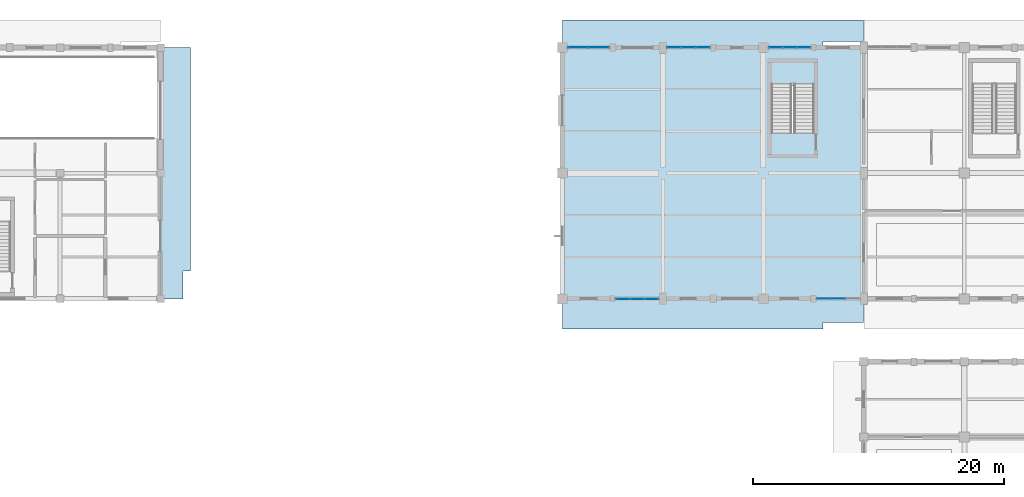
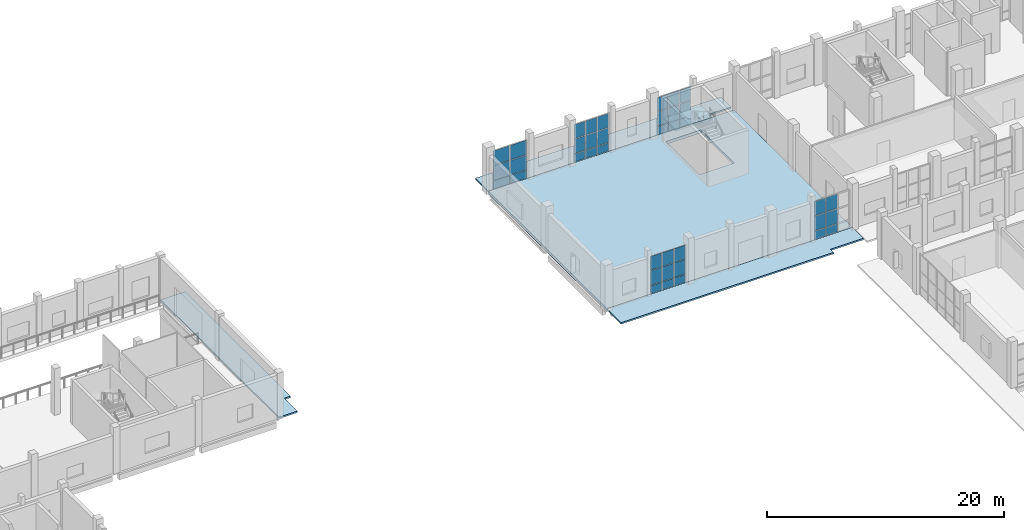
# One storey, part 113 of 156: 39 plates, 5 slabs, 6 elements without a shape of their own.
"""IFC4 building model written with IfcOpenShell, lengths in metres."""

from ifc_helpers import new_model, si_unit, direction, frame, origin, origin_2d, place, context, subcontext, project, spatial, polyline, rectangle, outline, extrude, material, layer, layer_set, type_object, element, aggregate, save


model = new_model("IFC4")

# Units and contexts
model_context = context("Model", 3, precision=1e-05, world=origin(), true_north=direction((0.0, 1.0)))
body_context = subcontext(model_context, "Body", "Model", "MODEL_VIEW")
ifc_project = project(units=[si_unit("LENGTHUNIT", "METRE"), si_unit("AREAUNIT", "SQUARE_METRE"), si_unit("VOLUMEUNIT", "CUBIC_METRE"), si_unit("PLANEANGLEUNIT", "RADIAN"), si_unit("MASSUNIT", "GRAM", prefix="KILO")], contexts=[model_context])

# Site, building, storey
site_placement = place(None, origin())
site = spatial("IfcSite", under=ifc_project, at=site_placement, CompositionType="ELEMENT")
building_placement = place(site_placement, origin())
building = spatial("IfcBuilding", under=site, at=building_placement, Name="Luwemba Playhouse", CompositionType="ELEMENT")
storey_placement = place(building_placement, origin())
storey = spatial("IfcBuildingStorey", under=building, at=storey_placement, Name="L00", CompositionType="ELEMENT", Elevation=0.0)

# Curtain wall, plates
ifc_material_1 = material(Name="Solar-control double glazing", Category="glass")
curtain_wall_type_1 = type_object("IfcCurtainWallType", Name="CW-CW11", PredefinedType="USERDEFINED", material=ifc_material_1)
curtain_wall_1_placement = place(storey_placement, origin())
curtain_wall_1 = element("IfcCurtainWall", 1, at=curtain_wall_1_placement, inside=storey, type_object=curtain_wall_type_1, Name="L00 V6E unitised curtain wall 083", ObjectType="UNITISED GLAZING", PredefinedType="USERDEFINED")
ifc_layer_1 = layer(ifc_material_1, 0.02392578125)
ifc_layer_set_1 = layer_set([ifc_layer_1], Name="Solar-control double glazing")
plate_type_1 = type_object("IfcPlateType", Name="CWP-P1", PredefinedType="CURTAIN_PANEL", material=ifc_layer_set_1)
plate_1_placement = place(storey_placement, frame((116.894287109375, 115.0, 0.06005859375), z_axis=(0.0, 0.0, 1.0), x_axis=(1.0, 0.0, 0.0)))
plate_1 = element("IfcPlate", 2, at=plate_1_placement, type_object=plate_type_1, Name="CW11 panel 1.1", PredefinedType="CURTAIN_PANEL", context=body_context, shape_type="SweptSolid", body=[
    extrude(rectangle(XDim=1.068359375, YDim=0.02392578125, at=origin_2d()), origin(), (0.0, 0.0, 1.0), 0.81005859375),
])
plate_2_placement = place(storey_placement, frame((116.894287109375, 115.0, 0.93017578125), z_axis=(0.0, 0.0, 1.0), x_axis=(1.0, 0.0, 0.0)))
plate_2 = element("IfcPlate", 3, at=plate_2_placement, type_object=plate_type_1, Name="CW11 panel 1.2", PredefinedType="CURTAIN_PANEL", context=body_context, shape_type="SweptSolid", body=[
    extrude(rectangle(XDim=1.068359375, YDim=0.02392578125, at=origin_2d()), origin(), (0.0, 0.0, 1.0), 1.489990234375),
])
plate_3_placement = place(storey_placement, frame((116.894287109375, 115.0, 2.47998046875), z_axis=(0.0, 0.0, 1.0), x_axis=(1.0, 0.0, 0.0)))
plate_3 = element("IfcPlate", 4, at=plate_3_placement, type_object=plate_type_1, Name="CW11 panel 1.3", PredefinedType="CURTAIN_PANEL", context=body_context, shape_type="SweptSolid", body=[
    extrude(rectangle(XDim=1.068359375, YDim=0.02392578125, at=origin_2d()), origin(), (0.0, 0.0, 1.0), 1.445068359375),
])
plate_4_placement = place(storey_placement, frame((118.03759765625, 115.0, 0.06005859375), z_axis=(0.0, 0.0, 1.0), x_axis=(1.0, 0.0, 0.0)))
plate_4 = element("IfcPlate", 5, at=plate_4_placement, type_object=plate_type_1, Name="CW11 panel 2.1", PredefinedType="CURTAIN_PANEL", context=body_context, shape_type="SweptSolid", body=[
    extrude(rectangle(XDim=1.098388671875, YDim=0.02392578125, at=origin_2d()), origin(), (0.0, 0.0, 1.0), 0.81005859375),
])
plate_5_placement = place(storey_placement, frame((118.03759765625, 115.0, 0.93017578125), z_axis=(0.0, 0.0, 1.0), x_axis=(1.0, 0.0, 0.0)))
plate_5 = element("IfcPlate", 6, at=plate_5_placement, type_object=plate_type_1, Name="CW11 panel 2.2", PredefinedType="CURTAIN_PANEL", context=body_context, shape_type="SweptSolid", body=[
    extrude(rectangle(XDim=1.098388671875, YDim=0.02392578125, at=origin_2d()), origin(), (0.0, 0.0, 1.0), 1.489990234375),
])
plate_6_placement = place(storey_placement, frame((118.03759765625, 115.0, 2.47998046875), z_axis=(0.0, 0.0, 1.0), x_axis=(1.0, 0.0, 0.0)))
plate_6 = element("IfcPlate", 7, at=plate_6_placement, type_object=plate_type_1, Name="CW11 panel 2.3", PredefinedType="CURTAIN_PANEL", context=body_context, shape_type="SweptSolid", body=[
    extrude(rectangle(XDim=1.098388671875, YDim=0.02392578125, at=origin_2d()), origin(), (0.0, 0.0, 1.0), 1.445068359375),
])
plate_7_placement = place(storey_placement, frame((119.180908203125, 115.0, 0.06005859375), z_axis=(0.0, 0.0, 1.0), x_axis=(1.0, 0.0, 0.0)))
plate_7 = element("IfcPlate", 8, at=plate_7_placement, type_object=plate_type_1, Name="CW11 panel 3.1", PredefinedType="CURTAIN_PANEL", context=body_context, shape_type="SweptSolid", body=[
    extrude(rectangle(XDim=1.068359375, YDim=0.02392578125, at=origin_2d()), origin(), (0.0, 0.0, 1.0), 0.81005859375),
])
plate_8_placement = place(storey_placement, frame((119.180908203125, 115.0, 0.93017578125), z_axis=(0.0, 0.0, 1.0), x_axis=(1.0, 0.0, 0.0)))
plate_8 = element("IfcPlate", 9, at=plate_8_placement, type_object=plate_type_1, Name="CW11 panel 3.2", PredefinedType="CURTAIN_PANEL", context=body_context, shape_type="SweptSolid", body=[
    extrude(rectangle(XDim=1.068359375, YDim=0.02392578125, at=origin_2d()), origin(), (0.0, 0.0, 1.0), 1.489990234375),
])
plate_9_placement = place(storey_placement, frame((119.180908203125, 115.0, 2.47998046875), z_axis=(0.0, 0.0, 1.0), x_axis=(1.0, 0.0, 0.0)))
plate_9 = element("IfcPlate", 10, at=plate_9_placement, type_object=plate_type_1, Name="CW11 panel 3.3", PredefinedType="CURTAIN_PANEL", context=body_context, shape_type="SweptSolid", body=[
    extrude(rectangle(XDim=1.068359375, YDim=0.02392578125, at=origin_2d()), origin(), (0.0, 0.0, 1.0), 1.445068359375),
])
aggregate(curtain_wall_1, [plate_1, plate_2, plate_3, plate_4, plate_5, plate_6, plate_7, plate_8, plate_9])

curtain_wall_type_2 = type_object("IfcCurtainWallType", Name="CW-CW66", PredefinedType="USERDEFINED", material=ifc_material_1)
curtain_wall_2_placement = place(storey_placement, origin())
curtain_wall_2 = element("IfcCurtainWall", 11, at=curtain_wall_2_placement, inside=storey, type_object=curtain_wall_type_2, Name="L00 V6E unitised curtain wall 084", ObjectType="UNITISED GLAZING", PredefinedType="USERDEFINED")
ifc_layer_2 = layer(ifc_material_1, 0.028076171875)
ifc_layer_set_2 = layer_set([ifc_layer_2], Name="Solar-control double glazing")
plate_type_2 = type_object("IfcPlateType", Name="CWP-P2", PredefinedType="CURTAIN_PANEL", material=ifc_layer_set_2)
plate_10_placement = place(storey_placement, frame((124.98291015625, 115.0, 0.05517578125), z_axis=(0.0, 0.0, 1.0), x_axis=(1.0, 0.0, 0.0)))
plate_10 = element("IfcPlate", 12, at=plate_10_placement, type_object=plate_type_2, Name="CW66 panel 1.1", PredefinedType="CURTAIN_PANEL", context=body_context, shape_type="SweptSolid", body=[
    extrude(rectangle(XDim=1.035888671875, YDim=0.028076171875, at=origin_2d()), origin(), (0.0, 0.0, 1.0), 0.8173828125),
])
plate_11_placement = place(storey_placement, frame((124.98291015625, 115.0, 0.927490234375), z_axis=(0.0, 0.0, 1.0), x_axis=(1.0, 0.0, 0.0)))
plate_11 = element("IfcPlate", 13, at=plate_11_placement, type_object=plate_type_2, Name="CW66 panel 1.2", PredefinedType="CURTAIN_PANEL", context=body_context, shape_type="SweptSolid", body=[
    extrude(rectangle(XDim=1.035888671875, YDim=0.028076171875, at=origin_2d()), origin(), (0.0, 0.0, 1.0), 1.4951171875),
])
plate_12_placement = place(storey_placement, frame((124.98291015625, 115.0, 2.4775390625), z_axis=(0.0, 0.0, 1.0), x_axis=(1.0, 0.0, 0.0)))
plate_12 = element("IfcPlate", 14, at=plate_12_placement, type_object=plate_type_2, Name="CW66 panel 1.3", PredefinedType="CURTAIN_PANEL", context=body_context, shape_type="SweptSolid", body=[
    extrude(rectangle(XDim=1.035888671875, YDim=0.028076171875, at=origin_2d()), origin(), (0.0, 0.0, 1.0), 1.402587890625),
])
plate_13_placement = place(storey_placement, frame((126.10009765625, 115.0, 0.05517578125), z_axis=(0.0, 0.0, 1.0), x_axis=(1.0, 0.0, 0.0)))
plate_13 = element("IfcPlate", 15, at=plate_13_placement, type_object=plate_type_2, Name="CW66 panel 2.1", PredefinedType="CURTAIN_PANEL", context=body_context, shape_type="SweptSolid", body=[
    extrude(rectangle(XDim=1.068359375, YDim=0.028076171875, at=origin_2d()), origin(), (0.0, 0.0, 1.0), 0.8173828125),
])
plate_14_placement = place(storey_placement, frame((126.10009765625, 115.0, 0.927490234375), z_axis=(0.0, 0.0, 1.0), x_axis=(1.0, 0.0, 0.0)))
plate_14 = element("IfcPlate", 16, at=plate_14_placement, type_object=plate_type_2, Name="CW66 panel 2.2", PredefinedType="CURTAIN_PANEL", context=body_context, shape_type="SweptSolid", body=[
    extrude(rectangle(XDim=1.068359375, YDim=0.028076171875, at=origin_2d()), origin(), (0.0, 0.0, 1.0), 1.4951171875),
])
plate_15_placement = place(storey_placement, frame((126.10009765625, 115.0, 2.4775390625), z_axis=(0.0, 0.0, 1.0), x_axis=(1.0, 0.0, 0.0)))
plate_15 = element("IfcPlate", 17, at=plate_15_placement, type_object=plate_type_2, Name="CW66 panel 2.3", PredefinedType="CURTAIN_PANEL", context=body_context, shape_type="SweptSolid", body=[
    extrude(rectangle(XDim=1.068359375, YDim=0.028076171875, at=origin_2d()), origin(), (0.0, 0.0, 1.0), 1.402587890625),
])
plate_16_placement = place(storey_placement, frame((127.217041015625, 115.0, 0.05517578125), z_axis=(0.0, 0.0, 1.0), x_axis=(1.0, 0.0, 0.0)))
plate_16 = element("IfcPlate", 18, at=plate_16_placement, type_object=plate_type_2, Name="CW66 panel 3.1", PredefinedType="CURTAIN_PANEL", context=body_context, shape_type="SweptSolid", body=[
    extrude(rectangle(XDim=1.035888671875, YDim=0.028076171875, at=origin_2d()), origin(), (0.0, 0.0, 1.0), 0.8173828125),
])
plate_17_placement = place(storey_placement, frame((127.217041015625, 115.0, 0.927490234375), z_axis=(0.0, 0.0, 1.0), x_axis=(1.0, 0.0, 0.0)))
plate_17 = element("IfcPlate", 19, at=plate_17_placement, type_object=plate_type_2, Name="CW66 panel 3.2", PredefinedType="CURTAIN_PANEL", context=body_context, shape_type="SweptSolid", body=[
    extrude(rectangle(XDim=1.035888671875, YDim=0.028076171875, at=origin_2d()), origin(), (0.0, 0.0, 1.0), 1.4951171875),
])
plate_18_placement = place(storey_placement, frame((127.217041015625, 115.0, 2.4775390625), z_axis=(0.0, 0.0, 1.0), x_axis=(1.0, 0.0, 0.0)))
plate_18 = element("IfcPlate", 20, at=plate_18_placement, type_object=plate_type_2, Name="CW66 panel 3.3", PredefinedType="CURTAIN_PANEL", context=body_context, shape_type="SweptSolid", body=[
    extrude(rectangle(XDim=1.035888671875, YDim=0.028076171875, at=origin_2d()), origin(), (0.0, 0.0, 1.0), 1.402587890625),
])
aggregate(curtain_wall_2, [plate_10, plate_11, plate_12, plate_13, plate_14, plate_15, plate_16, plate_17, plate_18])

curtain_wall_type_3 = type_object("IfcCurtainWallType", Name="CW-CW17", PredefinedType="USERDEFINED", material=ifc_material_1)
curtain_wall_3_placement = place(storey_placement, origin())
curtain_wall_3 = element("IfcCurtainWall", 21, at=curtain_wall_3_placement, inside=storey, type_object=curtain_wall_type_3, Name="L00 V6E unitised curtain wall 093", ObjectType="UNITISED GLAZING", PredefinedType="USERDEFINED")
ifc_layer_3 = layer(ifc_material_1, 0.031982421875)
ifc_layer_set_3 = layer_set([ifc_layer_3], Name="Solar-control double glazing")
plate_type_3 = type_object("IfcPlateType", Name="CWP-P3", PredefinedType="CURTAIN_PANEL", material=ifc_layer_set_3)
plate_19_placement = place(storey_placement, frame((129.96240234375, 95.0, 0.06494140625), z_axis=(0.0, 0.0, 1.0), x_axis=(-1.0, 0.0, 0.0)))
plate_19 = element("IfcPlate", 22, at=plate_19_placement, type_object=plate_type_3, Name="CW17 panel 2.1", PredefinedType="CURTAIN_PANEL", context=body_context, shape_type="SweptSolid", body=[
    extrude(rectangle(XDim=1.103271484375, YDim=0.031982421875, at=origin_2d()), origin(), (0.0, 0.0, 1.0), 0.802490234375),
])
plate_20_placement = place(storey_placement, frame((129.96240234375, 95.0, 0.9326171875), z_axis=(0.0, 0.0, 1.0), x_axis=(-1.0, 0.0, 0.0)))
plate_20 = element("IfcPlate", 23, at=plate_20_placement, type_object=plate_type_3, Name="CW17 panel 2.2", PredefinedType="CURTAIN_PANEL", context=body_context, shape_type="SweptSolid", body=[
    extrude(rectangle(XDim=1.103271484375, YDim=0.031982421875, at=origin_2d()), origin(), (0.0, 0.0, 1.0), 1.485107421875),
])
plate_21_placement = place(storey_placement, frame((129.96240234375, 95.0, 2.482421875), z_axis=(0.0, 0.0, 1.0), x_axis=(-1.0, 0.0, 0.0)))
plate_21 = element("IfcPlate", 24, at=plate_21_placement, type_object=plate_type_3, Name="CW17 panel 2.3", PredefinedType="CURTAIN_PANEL", context=body_context, shape_type="SweptSolid", body=[
    extrude(rectangle(XDim=1.103271484375, YDim=0.031982421875, at=origin_2d()), origin(), (0.0, 0.0, 1.0), 1.487548828125),
])
plate_22_placement = place(storey_placement, frame((128.81787109375, 95.0, 0.06494140625), z_axis=(0.0, 0.0, 1.0), x_axis=(-1.0, 0.0, 0.0)))
plate_22 = element("IfcPlate", 25, at=plate_22_placement, type_object=plate_type_3, Name="CW17 panel 3.1", PredefinedType="CURTAIN_PANEL", context=body_context, shape_type="SweptSolid", body=[
    extrude(rectangle(XDim=1.075927734375, YDim=0.031982421875, at=origin_2d()), origin(), (0.0, 0.0, 1.0), 0.802490234375),
])
plate_23_placement = place(storey_placement, frame((128.81787109375, 95.0, 0.9326171875), z_axis=(0.0, 0.0, 1.0), x_axis=(-1.0, 0.0, 0.0)))
plate_23 = element("IfcPlate", 26, at=plate_23_placement, type_object=plate_type_3, Name="CW17 panel 3.2", PredefinedType="CURTAIN_PANEL", context=body_context, shape_type="SweptSolid", body=[
    extrude(rectangle(XDim=1.075927734375, YDim=0.031982421875, at=origin_2d()), origin(), (0.0, 0.0, 1.0), 1.485107421875),
])
plate_24_placement = place(storey_placement, frame((128.81787109375, 95.0, 2.482421875), z_axis=(0.0, 0.0, 1.0), x_axis=(-1.0, 0.0, 0.0)))
plate_24 = element("IfcPlate", 27, at=plate_24_placement, type_object=plate_type_3, Name="CW17 panel 3.3", PredefinedType="CURTAIN_PANEL", context=body_context, shape_type="SweptSolid", body=[
    extrude(rectangle(XDim=1.075927734375, YDim=0.031982421875, at=origin_2d()), origin(), (0.0, 0.0, 1.0), 1.487548828125),
])
aggregate(curtain_wall_3, [plate_19, plate_20, plate_21, plate_22, plate_23, plate_24])

curtain_wall_type_4 = type_object("IfcCurtainWallType", Name="CW-CW65", PredefinedType="USERDEFINED", material=ifc_material_1)
curtain_wall_4_placement = place(storey_placement, origin())
curtain_wall_4 = element("IfcCurtainWall", 28, at=curtain_wall_4_placement, inside=storey, type_object=curtain_wall_type_4, Name="L00 V6E unitised curtain wall 082", ObjectType="UNITISED GLAZING", PredefinedType="USERDEFINED")
ifc_layer_4 = layer(ifc_material_1, 0.035888671875)
ifc_layer_set_4 = layer_set([ifc_layer_4], Name="Solar-control double glazing")
plate_type_4 = type_object("IfcPlateType", Name="CWP-P4", PredefinedType="CURTAIN_PANEL", material=ifc_layer_set_4)
plate_25_placement = place(storey_placement, frame((109.2548828125, 115.0, 0.0498046875), z_axis=(0.0, 0.0, 1.0), x_axis=(1.0, 0.0, 0.0)))
plate_25 = element("IfcPlate", 29, at=plate_25_placement, type_object=plate_type_4, Name="CW65 panel 1.1", PredefinedType="CURTAIN_PANEL", context=body_context, shape_type="SweptSolid", body=[
    extrude(rectangle(XDim=1.570068359375, YDim=0.035888671875, at=origin_2d()), origin(), (0.0, 0.0, 1.0), 0.824951171875),
])
plate_26_placement = place(storey_placement, frame((109.2548828125, 115.0, 0.925048828125), z_axis=(0.0, 0.0, 1.0), x_axis=(1.0, 0.0, 0.0)))
plate_26 = element("IfcPlate", 30, at=plate_26_placement, type_object=plate_type_4, Name="CW65 panel 1.2", PredefinedType="CURTAIN_PANEL", context=body_context, shape_type="SweptSolid", body=[
    extrude(rectangle(XDim=1.570068359375, YDim=0.035888671875, at=origin_2d()), origin(), (0.0, 0.0, 1.0), 1.5),
])
plate_27_placement = place(storey_placement, frame((109.2548828125, 115.0, 2.47509765625), z_axis=(0.0, 0.0, 1.0), x_axis=(1.0, 0.0, 0.0)))
plate_27 = element("IfcPlate", 31, at=plate_27_placement, type_object=plate_type_4, Name="CW65 panel 1.3", PredefinedType="CURTAIN_PANEL", context=body_context, shape_type="SweptSolid", body=[
    extrude(rectangle(XDim=1.570068359375, YDim=0.035888671875, at=origin_2d()), origin(), (0.0, 0.0, 1.0), 1.510009765625),
])
plate_28_placement = place(storey_placement, frame((110.89501953125, 115.0, 0.0498046875), z_axis=(0.0, 0.0, 1.0), x_axis=(1.0, 0.0, 0.0)))
plate_28 = element("IfcPlate", 32, at=plate_28_placement, type_object=plate_type_4, Name="CW65 panel 2.1", PredefinedType="CURTAIN_PANEL", context=body_context, shape_type="SweptSolid", body=[
    extrude(rectangle(XDim=1.570068359375, YDim=0.035888671875, at=origin_2d()), origin(), (0.0, 0.0, 1.0), 0.824951171875),
])
plate_29_placement = place(storey_placement, frame((110.89501953125, 115.0, 0.925048828125), z_axis=(0.0, 0.0, 1.0), x_axis=(1.0, 0.0, 0.0)))
plate_29 = element("IfcPlate", 33, at=plate_29_placement, type_object=plate_type_4, Name="CW65 panel 2.2", PredefinedType="CURTAIN_PANEL", context=body_context, shape_type="SweptSolid", body=[
    extrude(rectangle(XDim=1.570068359375, YDim=0.035888671875, at=origin_2d()), origin(), (0.0, 0.0, 1.0), 1.5),
])
plate_30_placement = place(storey_placement, frame((110.89501953125, 115.0, 2.47509765625), z_axis=(0.0, 0.0, 1.0), x_axis=(1.0, 0.0, 0.0)))
plate_30 = element("IfcPlate", 34, at=plate_30_placement, type_object=plate_type_4, Name="CW65 panel 2.3", PredefinedType="CURTAIN_PANEL", context=body_context, shape_type="SweptSolid", body=[
    extrude(rectangle(XDim=1.570068359375, YDim=0.035888671875, at=origin_2d()), origin(), (0.0, 0.0, 1.0), 1.510009765625),
])
aggregate(curtain_wall_4, [plate_25, plate_26, plate_27, plate_28, plate_29, plate_30])

curtain_wall_type_5 = type_object("IfcCurtainWallType", Name="CW-CW56", PredefinedType="USERDEFINED", material=ifc_material_1)
curtain_wall_5_placement = place(storey_placement, origin())
curtain_wall_5 = element("IfcCurtainWall", 35, at=curtain_wall_5_placement, inside=storey, type_object=curtain_wall_type_5, Name="L00 V6E unitised curtain wall 094", ObjectType="UNITISED GLAZING", PredefinedType="USERDEFINED")
plate_31_placement = place(storey_placement, frame((115.09912109375, 95.0, 0.0498046875), z_axis=(0.0, 0.0, 1.0), x_axis=(-1.0, 0.0, 0.0)))
plate_31 = element("IfcPlate", 36, at=plate_31_placement, type_object=plate_type_4, Name="CW56 panel 1.1", PredefinedType="CURTAIN_PANEL", context=body_context, shape_type="SweptSolid", body=[
    extrude(rectangle(XDim=1.061767578125, YDim=0.035888671875, at=origin_2d()), origin(), (0.0, 0.0, 1.0), 0.824951171875),
])
plate_32_placement = place(storey_placement, frame((115.09912109375, 95.0, 0.925048828125), z_axis=(0.0, 0.0, 1.0), x_axis=(-1.0, 0.0, 0.0)))
plate_32 = element("IfcPlate", 37, at=plate_32_placement, type_object=plate_type_4, Name="CW56 panel 1.2", PredefinedType="CURTAIN_PANEL", context=body_context, shape_type="SweptSolid", body=[
    extrude(rectangle(XDim=1.061767578125, YDim=0.035888671875, at=origin_2d()), origin(), (0.0, 0.0, 1.0), 1.5),
])
plate_33_placement = place(storey_placement, frame((115.09912109375, 95.0, 2.47509765625), z_axis=(0.0, 0.0, 1.0), x_axis=(-1.0, 0.0, 0.0)))
plate_33 = element("IfcPlate", 38, at=plate_33_placement, type_object=plate_type_4, Name="CW56 panel 1.3", PredefinedType="CURTAIN_PANEL", context=body_context, shape_type="SweptSolid", body=[
    extrude(rectangle(XDim=1.061767578125, YDim=0.035888671875, at=origin_2d()), origin(), (0.0, 0.0, 1.0), 1.409912109375),
])
plate_34_placement = place(storey_placement, frame((113.949951171875, 95.0, 0.0498046875), z_axis=(0.0, 0.0, 1.0), x_axis=(-1.0, 0.0, 0.0)))
plate_34 = element("IfcPlate", 39, at=plate_34_placement, type_object=plate_type_4, Name="CW56 panel 2.1", PredefinedType="CURTAIN_PANEL", context=body_context, shape_type="SweptSolid", body=[
    extrude(rectangle(XDim=1.0966796875, YDim=0.035888671875, at=origin_2d()), origin(), (0.0, 0.0, 1.0), 0.824951171875),
])
plate_35_placement = place(storey_placement, frame((113.949951171875, 95.0, 0.925048828125), z_axis=(0.0, 0.0, 1.0), x_axis=(-1.0, 0.0, 0.0)))
plate_35 = element("IfcPlate", 40, at=plate_35_placement, type_object=plate_type_4, Name="CW56 panel 2.2", PredefinedType="CURTAIN_PANEL", context=body_context, shape_type="SweptSolid", body=[
    extrude(rectangle(XDim=1.0966796875, YDim=0.035888671875, at=origin_2d()), origin(), (0.0, 0.0, 1.0), 1.5),
])
plate_36_placement = place(storey_placement, frame((113.949951171875, 95.0, 2.47509765625), z_axis=(0.0, 0.0, 1.0), x_axis=(-1.0, 0.0, 0.0)))
plate_36 = element("IfcPlate", 41, at=plate_36_placement, type_object=plate_type_4, Name="CW56 panel 2.3", PredefinedType="CURTAIN_PANEL", context=body_context, shape_type="SweptSolid", body=[
    extrude(rectangle(XDim=1.0966796875, YDim=0.035888671875, at=origin_2d()), origin(), (0.0, 0.0, 1.0), 1.409912109375),
])
plate_37_placement = place(storey_placement, frame((112.80078125, 95.0, 0.0498046875), z_axis=(0.0, 0.0, 1.0), x_axis=(-1.0, 0.0, 0.0)))
plate_37 = element("IfcPlate", 42, at=plate_37_placement, type_object=plate_type_4, Name="CW56 panel 3.1", PredefinedType="CURTAIN_PANEL", context=body_context, shape_type="SweptSolid", body=[
    extrude(rectangle(XDim=1.061767578125, YDim=0.035888671875, at=origin_2d()), origin(), (0.0, 0.0, 1.0), 0.824951171875),
])
plate_38_placement = place(storey_placement, frame((112.80078125, 95.0, 0.925048828125), z_axis=(0.0, 0.0, 1.0), x_axis=(-1.0, 0.0, 0.0)))
plate_38 = element("IfcPlate", 43, at=plate_38_placement, type_object=plate_type_4, Name="CW56 panel 3.2", PredefinedType="CURTAIN_PANEL", context=body_context, shape_type="SweptSolid", body=[
    extrude(rectangle(XDim=1.061767578125, YDim=0.035888671875, at=origin_2d()), origin(), (0.0, 0.0, 1.0), 1.5),
])
plate_39_placement = place(storey_placement, frame((112.80078125, 95.0, 2.47509765625), z_axis=(0.0, 0.0, 1.0), x_axis=(-1.0, 0.0, 0.0)))
plate_39 = element("IfcPlate", 44, at=plate_39_placement, type_object=plate_type_4, Name="CW56 panel 3.3", PredefinedType="CURTAIN_PANEL", context=body_context, shape_type="SweptSolid", body=[
    extrude(rectangle(XDim=1.061767578125, YDim=0.035888671875, at=origin_2d()), origin(), (0.0, 0.0, 1.0), 1.409912109375),
])
aggregate(curtain_wall_5, [plate_31, plate_32, plate_33, plate_34, plate_35, plate_36, plate_37, plate_38, plate_39])

# Slab
ifc_material_2 = material(Name="Concrete C40/50", Category="concrete")
ifc_layer_5 = layer(ifc_material_2, 0.300048828125)
ifc_layer_set_5 = layer_set([ifc_layer_5], Name="Concrete C40/50")
slab_type_1 = type_object("IfcSlabType", Name="SLB-HVY-300", PredefinedType="FLOOR", material=ifc_layer_set_5)
slab_1_placement = place(storey_placement, frame((0.0, 0.0, -0.300048828125)))
element("IfcSlab", 45, at=slab_1_placement, inside=storey, type_object=slab_type_1, Name="L00 V6E structural floor slab-MJ", PredefinedType="FLOOR", context=body_context, shape_type="SweptSolid", body=[
    extrude(outline(polyline([(131.969970703125, 115.0), (131.969970703125, 95.0), (108.0, 95.0), (108.0, 115.0), (131.969970703125, 115.0)]), holes=[polyline([(128.050048828125, 108.199951171875), (128.050048828125, 113.820068359375), (124.64990234375, 113.820068359375), (124.64990234375, 108.199951171875), (128.050048828125, 108.199951171875)])]), origin(), (0.0, 0.0, 1.0), 0.300048828125),
])

# Stair, slab
stair_type = type_object("IfcStairType", Name="STR-DL-05", PredefinedType="HALF_TURN_STAIR", material=ifc_material_2)
stair_placement = place(storey_placement, origin())
stair = element("IfcStair", 46, at=stair_placement, inside=storey, type_object=stair_type, Name="L00 Conservatory West Escape Stair", PredefinedType="HALF_TURN_STAIR")
ifc_layer_6 = layer(ifc_material_2, 0.215087890625)
ifc_layer_set_6 = layer_set([ifc_layer_6], Name="Concrete C40/50")
slab_type_2 = type_object("IfcSlabType", Name="SLB-LND-215", PredefinedType="LANDING", material=ifc_layer_set_6)
slab_2_placement = place(storey_placement, frame((0.0, 0.0, 2.199951171875)))
slab_2 = element("IfcSlab", 47, at=slab_2_placement, type_object=slab_type_2, Name="ST-16 landing 1", PredefinedType="LANDING", context=body_context, shape_type="SweptSolid", body=[
    extrude(outline(polyline([(128.18994140625, 111.97998046875), (124.510009765625, 111.97998046875), (124.510009765625, 113.9599609375), (128.18994140625, 113.9599609375), (128.18994140625, 111.97998046875)])), origin(), (0.0, 0.0, 1.0), 0.199951171875),
])
aggregate(stair, [slab_2])

# Slabs
ifc_material_3 = material(Name="Concrete C32/40", Category="concrete")
ifc_layer_7 = layer(ifc_material_3, 0.159912109375)
ifc_layer_set_7 = layer_set([ifc_layer_7], Name="Concrete C32/40")
slab_type_3 = type_object("IfcSlabType", Name="SLB-PAV-160", PredefinedType="USERDEFINED", material=ifc_layer_set_7)
slab_3_placement = place(storey_placement, frame((0.0, 0.0, -0.159912109375)))
element("IfcSlab", 48, at=slab_3_placement, inside=storey, type_object=slab_type_3, Name="L00 external civic plaza paving PAV-NV6E-W", ObjectType="PAVING", PredefinedType="USERDEFINED", context=body_context, shape_type="SweptSolid", body=[
    extrude(outline(polyline([(108.0, 115.0), (128.77001953125, 115.0), (128.77001953125, 115.47998046875), (131.969970703125, 115.47998046875), (131.969970703125, 117.199951171875), (108.0, 117.199951171875), (108.0, 115.0)])), origin(), (0.0, 0.0, 1.0), 0.159912109375),
])
slab_4_placement = place(storey_placement, frame((0.0, 0.0, -0.159912109375)))
element("IfcSlab", 49, at=slab_4_placement, inside=storey, type_object=slab_type_3, Name="L00 external civic plaza paving PAV-CLN-W", ObjectType="PAVING", PredefinedType="USERDEFINED", context=body_context, shape_type="SweptSolid", body=[
    extrude(outline(polyline([(108.0, 92.60009765625), (128.77001953125, 92.60009765625), (128.77001953125, 93.1298828125), (131.969970703125, 93.1298828125), (131.969970703125, 95.0), (108.0, 95.0), (108.0, 92.60009765625)])), origin(), (0.0, 0.0, 1.0), 0.159912109375),
])
slab_5_placement = place(storey_placement, frame((0.0, 0.0, -0.159912109375)))
element("IfcSlab", 50, at=slab_5_placement, inside=storey, type_object=slab_type_3, Name="L00 external civic plaza paving PAV-NORTH-YARD-C", ObjectType="PAVING", PredefinedType="USERDEFINED", context=body_context, shape_type="SweptSolid", body=[
    extrude(outline(polyline([(76.0, 95.0), (77.800048828125, 95.0), (77.800048828125, 97.199951171875), (78.39990234375, 97.199951171875), (78.39990234375, 115.0), (76.0, 115.0), (76.0, 95.0)])), origin(), (0.0, 0.0, 1.0), 0.159912109375),
])

save(model, "model.ifc")
